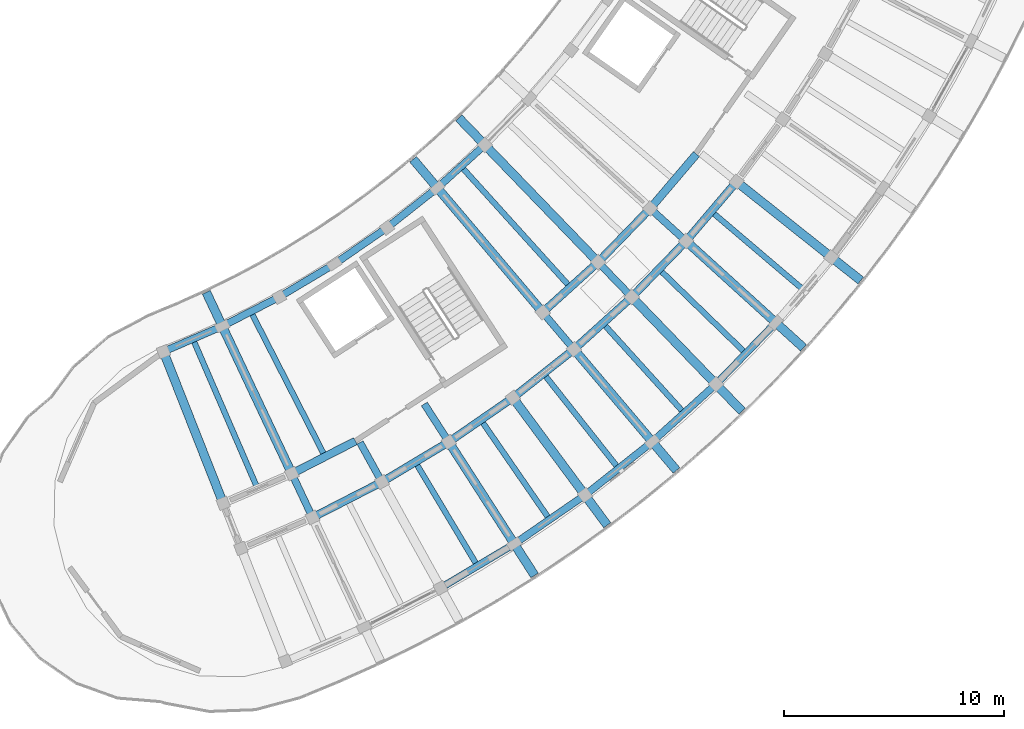
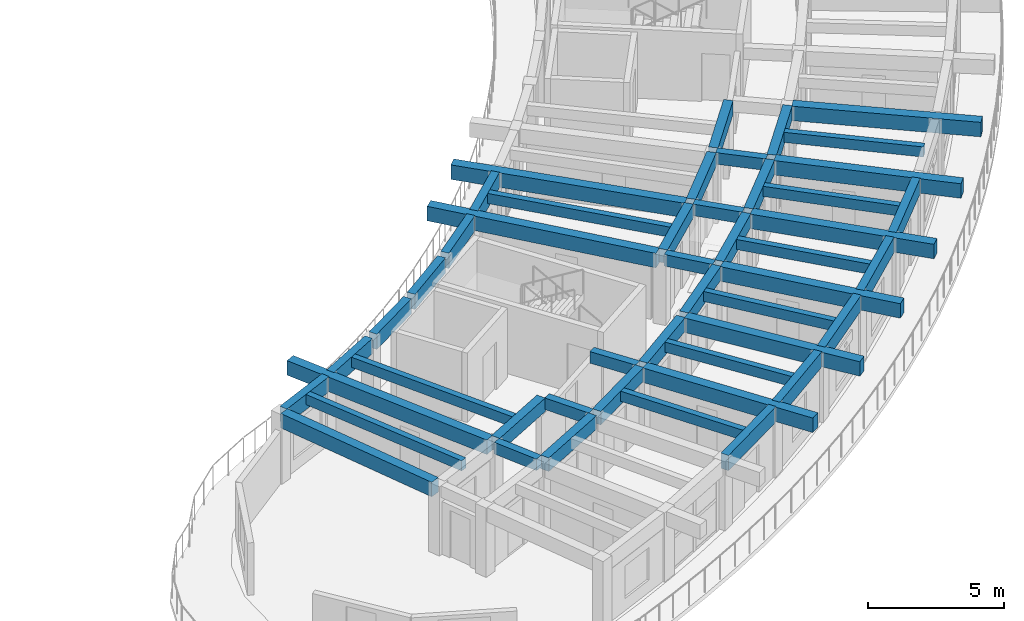
# One storey, part 21 of 83: 47 beams.
"""IFC4 building model written with IfcOpenShell, lengths in metres."""

from ifc_helpers import new_model, si_unit, direction, frame, origin, origin_2d, place, context, subcontext, project, spatial, rectangle, extrude, material, material_profile, profile_set, type_object, element, save


model = new_model("IFC4")

# Units and contexts
model_context = context("Model", 3, precision=1e-05, world=origin(), true_north=direction((0.0, 1.0)))
body_context = subcontext(model_context, "Body", "Model", "MODEL_VIEW")
ifc_project = project(units=[si_unit("LENGTHUNIT", "METRE"), si_unit("AREAUNIT", "SQUARE_METRE"), si_unit("VOLUMEUNIT", "CUBIC_METRE"), si_unit("PLANEANGLEUNIT", "RADIAN"), si_unit("MASSUNIT", "GRAM", prefix="KILO")], contexts=[model_context])

# Site, building, storey
site_placement = place(None, origin())
site = spatial("IfcSite", under=ifc_project, at=site_placement, CompositionType="ELEMENT")
building_placement = place(site_placement, origin())
building = spatial("IfcBuilding", under=site, at=building_placement, Name="Tanwirah Colonnade Gardens", CompositionType="ELEMENT")
storey_placement = place(building_placement, frame((0.0, 0.0, 25.639892578125)))
storey = spatial("IfcBuildingStorey", under=building, at=storey_placement, Name="L07", CompositionType="ELEMENT", Elevation=25.639892578125)

# Beams
ifc_material_1 = material(Name="Precast concrete C40/50", Category="concrete")
ifc_material_profile_1 = material_profile(ifc_material_1, rectangle(XDim=0.360107421875, YDim=0.610107421875, at=origin_2d()), Name="PC-BM 360x610")
ifc_profile_set_1 = profile_set([ifc_material_profile_1], Name="Precast concrete C40/50")
beam_type_1 = type_object("IfcBeamType", Name="BM-PC300", PredefinedType="BEAM", material=ifc_profile_set_1)
beam_1_placement = place(storey_placement, frame((143.2509765625, 17.67236328125, 2.80517578125), z_axis=(0.890027741769, 0.45590637074, 0.0), x_axis=(-0.45590637074, 0.890027741769, 0.0)))
element("IfcBeam", 1, at=beam_1_placement, inside=storey, type_object=beam_type_1, Name="Block D L07 Circumferential Beam 3-R1", PredefinedType="BEAM", context=body_context, shape_type="SweptSolid", body=[
    extrude(rectangle(XDim=0.360107421875, YDim=0.610107421875, at=origin_2d()), origin(), (0.0, 0.0, 1.0), 3.093017578125),
])
beam_2_placement = place(storey_placement, frame((144.189453125, 15.6826171875, 2.80517578125), z_axis=(0.890025451153, 0.45591084249, 0.0), x_axis=(-0.45591084249, 0.890025451153, 0.0)))
element("IfcBeam", 2, at=beam_2_placement, inside=storey, type_object=beam_type_1, Name="Block D L07 Circumferential Beam 3-R2", PredefinedType="BEAM", context=body_context, shape_type="SweptSolid", body=[
    extrude(rectangle(XDim=0.360107421875, YDim=0.610107421875, at=origin_2d()), origin(), (0.0, 0.0, 1.0), 3.237060546875),
])
beam_3_placement = place(storey_placement, frame((147.332763671875, 17.3037109375, 2.80517578125), z_axis=(0.858270604513, 0.513197398111, 0.0), x_axis=(-0.513197398111, 0.858270604513, 0.0)))
element("IfcBeam", 3, at=beam_3_placement, inside=storey, type_object=beam_type_1, Name="Block D L07 Circumferential Beam 4-R2", PredefinedType="BEAM", context=body_context, shape_type="SweptSolid", body=[
    extrude(rectangle(XDim=0.360107421875, YDim=0.610107421875, at=origin_2d()), origin(), (0.0, 0.0, 1.0), 3.23681640625),
])
beam_4_placement = place(storey_placement, frame((150.363037109375, 19.126953125, 2.80517578125), z_axis=(0.822889344221, 0.568201660651, 0.0), x_axis=(-0.568201660651, 0.822889344221, 0.0)))
element("IfcBeam", 4, at=beam_4_placement, inside=storey, type_object=beam_type_1, Name="Block D L07 Circumferential Beam 5-R2", PredefinedType="BEAM", context=body_context, shape_type="SweptSolid", body=[
    extrude(rectangle(XDim=0.360107421875, YDim=0.610107421875, at=origin_2d()), origin(), (0.0, 0.0, 1.0), 3.237060546875),
])
beam_5_placement = place(storey_placement, frame((153.267822265625, 21.144775390625, 2.80517578125), z_axis=(0.783993819374, 0.620768629349, 0.0), x_axis=(-0.620768629349, 0.783993819374, 0.0)))
element("IfcBeam", 5, at=beam_5_placement, inside=storey, type_object=beam_type_1, Name="Block D L07 Circumferential Beam 6-R2", PredefinedType="BEAM", context=body_context, shape_type="SweptSolid", body=[
    extrude(rectangle(XDim=0.360107421875, YDim=0.610107421875, at=origin_2d()), origin(), (0.0, 0.0, 1.0), 3.23681640625),
])
beam_6_placement = place(storey_placement, frame((154.61279296875, 25.027099609375, 2.80517578125), z_axis=(0.741698455559, 0.670733479873, 0.0), x_axis=(-0.670733479873, 0.741698455559, 0.0)))
element("IfcBeam", 6, at=beam_6_placement, inside=storey, type_object=beam_type_1, Name="Block D L07 Circumferential Beam 7-R1", PredefinedType="BEAM", context=body_context, shape_type="SweptSolid", body=[
    extrude(rectangle(XDim=0.360107421875, YDim=0.610107421875, at=origin_2d()), origin(), (0.0, 0.0, 1.0), 3.0927734375),
])
beam_7_placement = place(storey_placement, frame((156.0341796875, 23.347900390625, 2.80517578125), z_axis=(0.741701929733, 0.670729638104, 0.0), x_axis=(-0.670729638104, 0.741701929733, 0.0)))
element("IfcBeam", 7, at=beam_7_placement, inside=storey, type_object=beam_type_1, Name="Block D L07 Circumferential Beam 7-R2", PredefinedType="BEAM", context=body_context, shape_type="SweptSolid", body=[
    extrude(rectangle(XDim=0.360107421875, YDim=0.610107421875, at=origin_2d()), origin(), (0.0, 0.0, 1.0), 3.237060546875),
])
beam_8_placement = place(storey_placement, frame((157.12255859375, 27.309814453125, 2.80517578125), z_axis=(0.696209937932, 0.71783822852, 0.0), x_axis=(-0.71783822852, 0.696209937932, 0.0)))
element("IfcBeam", 8, at=beam_8_placement, inside=storey, type_object=beam_type_1, Name="Block D L07 Circumferential Beam 8-R1", PredefinedType="BEAM", context=body_context, shape_type="SweptSolid", body=[
    extrude(rectangle(XDim=0.360107421875, YDim=0.610107421875, at=origin_2d()), origin(), (0.0, 0.0, 1.0), 3.093017578125),
])
beam_9_placement = place(storey_placement, frame((158.650634765625, 25.727294921875, 2.80517578125), z_axis=(0.696238887656, 0.717810149911, 0.0), x_axis=(-0.717810149911, 0.696238887656, 0.0)))
element("IfcBeam", 9, at=beam_9_placement, inside=storey, type_object=beam_type_1, Name="Block D L07 Circumferential Beam 8-R2", PredefinedType="BEAM", context=body_context, shape_type="SweptSolid", body=[
    extrude(rectangle(XDim=0.360107421875, YDim=0.610107421875, at=origin_2d()), origin(), (0.0, 0.0, 1.0), 3.23681640625),
])
beam_10_placement = place(storey_placement, frame((159.4775390625, 29.751953125, 2.80517578125), z_axis=(0.647730901566, 0.761869200819, 0.0), x_axis=(-0.761869200819, 0.647730901566, 0.0)))
element("IfcBeam", 10, at=beam_10_placement, inside=storey, type_object=beam_type_1, Name="Block D L07 Circumferential Beam 9-R1", PredefinedType="BEAM", context=body_context, shape_type="SweptSolid", body=[
    extrude(rectangle(XDim=0.360107421875, YDim=0.610107421875, at=origin_2d()), origin(), (0.0, 0.0, 1.0), 3.093017578125),
])
beam_11_placement = place(storey_placement, frame((161.10595703125, 28.27294921875, 2.80517578125), z_axis=(0.6478235549, 0.761790418499, 0.0), x_axis=(-0.761790418499, 0.6478235549, 0.0)))
element("IfcBeam", 11, at=beam_11_placement, inside=storey, type_object=beam_type_1, Name="Block D L07 Circumferential Beam 9-R2", PredefinedType="BEAM", context=body_context, shape_type="SweptSolid", body=[
    extrude(rectangle(XDim=0.360107421875, YDim=0.610107421875, at=origin_2d()), origin(), (0.0, 0.0, 1.0), 3.23681640625),
])
ifc_material_profile_2 = material_profile(ifc_material_1, rectangle(XDim=0.320068359375, YDim=0.52001953125, at=origin_2d()), Name="PC-BM 320x520")
ifc_profile_set_2 = profile_set([ifc_material_profile_2], Name="Precast concrete C40/50")
beam_type_2 = type_object("IfcBeamType", Name="BM-PC320", PredefinedType="BEAM", material=ifc_profile_set_2)
beam_12_placement = place(storey_placement, frame((143.181640625, 17.46826171875, 2.85009765625), z_axis=(0.426483812015, -0.904495195172, 0.0), x_axis=(0.904495195172, 0.426483812015, 0.0)))
element("IfcBeam", 12, at=beam_12_placement, inside=storey, type_object=beam_type_2, Name="Block D L07 Corridor Tie Beam 3", PredefinedType="BEAM", context=body_context, shape_type="SweptSolid", body=[
    extrude(rectangle(XDim=0.320068359375, YDim=0.52001953125, at=origin_2d()), origin(), (0.0, 0.0, 1.0), 1.89990234375),
])
beam_13_placement = place(storey_placement, frame((146.210205078125, 19.019775390625, 2.85009765625), z_axis=(0.484791759649, -0.874629607192, 0.0), x_axis=(0.874629607192, 0.484791759649, 0.0)))
element("IfcBeam", 13, at=beam_13_placement, inside=storey, type_object=beam_type_2, Name="Block D L07 Corridor Tie Beam 4", PredefinedType="BEAM", context=body_context, shape_type="SweptSolid", body=[
    extrude(rectangle(XDim=0.320068359375, YDim=0.52001953125, at=origin_2d()), origin(), (0.0, 0.0, 1.0), 1.900146484375),
])
beam_14_placement = place(storey_placement, frame((149.130615234375, 20.765869140625, 2.85009765625), z_axis=(0.540984881989, -0.841032316537, 0.0), x_axis=(0.841032316537, 0.540984881989, 0.0)))
element("IfcBeam", 14, at=beam_14_placement, inside=storey, type_object=beam_type_2, Name="Block D L07 Corridor Tie Beam 5", PredefinedType="BEAM", context=body_context, shape_type="SweptSolid", body=[
    extrude(rectangle(XDim=0.320068359375, YDim=0.52001953125, at=origin_2d()), origin(), (0.0, 0.0, 1.0), 1.89990234375),
])
beam_15_placement = place(storey_placement, frame((154.598388671875, 24.81201171875, 2.85009765625), z_axis=(0.646155325581, -0.763205932382, 0.0), x_axis=(0.763205932382, 0.646155325581, 0.0)))
element("IfcBeam", 15, at=beam_15_placement, inside=storey, type_object=beam_type_2, Name="Block D L07 Corridor Tie Beam 7", PredefinedType="BEAM", context=body_context, shape_type="SweptSolid", body=[
    extrude(rectangle(XDim=0.320068359375, YDim=0.52001953125, at=origin_2d()), origin(), (0.0, 0.0, 1.0), 1.900146484375),
])
beam_16_placement = place(storey_placement, frame((157.122314453125, 27.09423828125, 2.85009765625), z_axis=(0.694663306685, -0.719335033448, 0.0), x_axis=(0.719335033448, 0.694663306685, 0.0)))
element("IfcBeam", 16, at=beam_16_placement, inside=storey, type_object=beam_type_2, Name="Block D L07 Corridor Tie Beam 8", PredefinedType="BEAM", context=body_context, shape_type="SweptSolid", body=[
    extrude(rectangle(XDim=0.320068359375, YDim=0.52001953125, at=origin_2d()), origin(), (0.0, 0.0, 1.0), 1.89990234375),
])
beam_17_placement = place(storey_placement, frame((159.491455078125, 29.536865234375, 2.85009765625), z_axis=(0.740219127015, -0.672365707038, 0.0), x_axis=(0.672365707038, 0.740219127015, 0.0)))
element("IfcBeam", 17, at=beam_17_placement, inside=storey, type_object=beam_type_2, Name="Block D L07 Corridor Tie Beam 9", PredefinedType="BEAM", context=body_context, shape_type="SweptSolid", body=[
    extrude(rectangle(XDim=0.320068359375, YDim=0.52001953125, at=origin_2d()), origin(), (0.0, 0.0, 1.0), 1.899658203125),
])
ifc_material_2 = material(Name="Precast concrete C45/55", Category="concrete")
ifc_material_profile_3 = material_profile(ifc_material_2, rectangle(XDim=0.39990234375, YDim=0.64990234375, at=origin_2d()), Name="PC-BM 400x650")
ifc_profile_set_3 = profile_set([ifc_material_profile_3], Name="Precast concrete C45/55")
beam_type_3 = type_object("IfcBeamType", Name="BM-PC400", PredefinedType="BEAM", material=ifc_profile_set_3)
beam_18_placement = place(storey_placement, frame((139.947998046875, 16.3974609375, 2.78515625), z_axis=(-0.366488437166, 0.930422605821, 0.0), x_axis=(-0.930422605821, -0.366488437166, 0.0)))
element("IfcBeam", 18, at=beam_18_placement, inside=storey, type_object=beam_type_3, Name="Block D L07 Inner Radial Precast Girder 2", PredefinedType="BEAM", context=body_context, shape_type="SweptSolid", body=[
    extrude(rectangle(XDim=0.39990234375, YDim=0.64990234375, at=origin_2d()), origin(), (0.0, 0.0, 1.0), 7.099853515625),
])
beam_19_placement = place(storey_placement, frame((143.0537109375, 17.73974609375, 2.78515625), z_axis=(-0.426582468098, 0.904448670689, 0.0), x_axis=(-0.904448670689, -0.426582468098, 0.0)))
element("IfcBeam", 19, at=beam_19_placement, inside=storey, type_object=beam_type_3, Name="Block D L07 Inner Radial Precast Girder 3", PredefinedType="BEAM", context=body_context, shape_type="SweptSolid", body=[
    extrude(rectangle(XDim=0.39990234375, YDim=0.64990234375, at=origin_2d()), origin(), (0.0, 0.0, 1.0), 8.949951171875),
])
for number, where, z_axis, x_axis, name in (
    (20, (150.32080078125, 18.915771484375, 2.78515625), (0.540976349149, -0.841037805132, 0.0), (0.841037805132, 0.540976349149, 0.0), "Block D L07 Outer Radial Precast Girder 5"),
    (21, (153.239501953125, 20.930908203125, 2.78515625), (0.594806754627, -0.803868723518, 0.0), (0.803868723518, 0.594806754627, 0.0), "Block D L07 Outer Radial Precast Girder 6"),
):
    element("IfcBeam", number, at=place(storey_placement, frame(where, z_axis=z_axis, x_axis=x_axis)), inside=storey, type_object=beam_type_3, Name=name, PredefinedType="BEAM", context=body_context, shape_type="SweptSolid", body=[
        extrude(rectangle(XDim=0.39990234375, YDim=0.64990234375, at=origin_2d()), origin(), (0.0, 0.0, 1.0), 7.050048828125),
    ])
beam_20_placement = place(storey_placement, frame((154.404541015625, 25.040771484375, 2.78515625), z_axis=(-0.64611097415, 0.763243479554, 0.0), x_axis=(-0.763243479554, -0.64611097415, 0.0)))
element("IfcBeam", 22, at=beam_20_placement, inside=storey, type_object=beam_type_3, Name="Block D L07 Inner Radial Precast Girder 7", PredefinedType="BEAM", context=body_context, shape_type="SweptSolid", body=[
    extrude(rectangle(XDim=0.39990234375, YDim=0.64990234375, at=origin_2d()), origin(), (0.0, 0.0, 1.0), 8.949951171875),
])
beam_21_placement = place(storey_placement, frame((156.02001953125, 23.1328125, 2.78515625), z_axis=(0.646119193339, -0.763236521663, 0.0), x_axis=(0.763236521663, 0.646119193339, 0.0)))
element("IfcBeam", 23, at=beam_21_placement, inside=storey, type_object=beam_type_3, Name="Block D L07 Outer Radial Precast Girder 7", PredefinedType="BEAM", context=body_context, shape_type="SweptSolid", body=[
    extrude(rectangle(XDim=0.39990234375, YDim=0.64990234375, at=origin_2d()), origin(), (0.0, 0.0, 1.0), 7.050048828125),
])
beam_22_placement = place(storey_placement, frame((156.913818359375, 27.31005859375, 2.78515625), z_axis=(-0.694655848402, 0.719342235852, 0.0), x_axis=(-0.719342235852, -0.694655848402, 0.0)))
element("IfcBeam", 24, at=beam_22_placement, inside=storey, type_object=beam_type_3, Name="Block D L07 Inner Radial Precast Girder 8", PredefinedType="BEAM", context=body_context, shape_type="SweptSolid", body=[
    extrude(rectangle(XDim=0.39990234375, YDim=0.64990234375, at=origin_2d()), origin(), (0.0, 0.0, 1.0), 8.9501953125),
])
beam_23_placement = place(storey_placement, frame((158.650390625, 25.51171875, 2.78515625), z_axis=(0.69467114255, -0.719327466254, 0.0), x_axis=(0.719327466254, 0.69467114255, 0.0)))
element("IfcBeam", 25, at=beam_23_placement, inside=storey, type_object=beam_type_3, Name="Block D L07 Outer Radial Precast Girder 8", PredefinedType="BEAM", context=body_context, shape_type="SweptSolid", body=[
    extrude(rectangle(XDim=0.39990234375, YDim=0.64990234375, at=origin_2d()), origin(), (0.0, 0.0, 1.0), 7.050048828125),
])
for number, where, z_axis, x_axis, name in (
    (26, (161.119873046875, 28.0576171875, 2.78515625), (0.740229899169, -0.672353847596, 0.0), (0.672353847596, 0.740229899169, 0.0), "Block D L07 Outer Radial Precast Girder 9"),
    (27, (163.41748046875, 30.759765625, 2.78515625), (0.782609106384, -0.622513442911, 0.0), (0.622513442911, 0.782609106384, 0.0), "Block D L07 Outer Radial Precast Girder 10"),
):
    element("IfcBeam", number, at=place(storey_placement, frame(where, z_axis=z_axis, x_axis=x_axis)), inside=storey, type_object=beam_type_3, Name=name, PredefinedType="BEAM", context=body_context, shape_type="SweptSolid", body=[
        extrude(rectangle(XDim=0.39990234375, YDim=0.64990234375, at=origin_2d()), origin(), (0.0, 0.0, 1.0), 7.0498046875),
    ])
ifc_material_profile_4 = material_profile(ifc_material_1, rectangle(XDim=0.2548828125, YDim=0.455078125, at=origin_2d()), Name="PC-JST 255x455")
ifc_profile_set_4 = profile_set([ifc_material_profile_4], Name="Precast concrete C40/50")
beam_type_4 = type_object("IfcBeamType", Name="JST-PC240", PredefinedType="JOIST", material=ifc_profile_set_4)
for number, where, z_axis, x_axis, name in (
    (28, (138.68310546875, 23.587890625, 2.882568359375), (0.396736454079, -0.917932560706, 0.0), (0.917932560706, 0.396736454079, 0.0), "Block D L07 Inner Precast Floor Joist 2"),
    (29, (141.321044921875, 24.83203125, 2.882568359375), (0.455921327553, -0.890020080157, 0.0), (0.890020080157, 0.455921327553, 0.0), "Block D L07 Inner Precast Floor Joist 3"),
):
    element("IfcBeam", number, at=place(storey_placement, frame(where, z_axis=z_axis, x_axis=x_axis)), inside=storey, type_object=beam_type_4, Name=name, PredefinedType="JOIST", context=body_context, shape_type="SweptSolid", body=[
        extrude(rectangle(XDim=0.2548828125, YDim=0.455078125, at=origin_2d()), origin(), (0.0, 0.0, 1.0), 7.159912109375),
    ])
for number, where, z_axis, x_axis, name in (
    (30, (148.79833984375, 18.006591796875, 2.882568359375), (0.513157303227, -0.858294577721, 0.0), (0.858294577721, 0.513157303227, 0.0), "Block D L07 Precast Floor Joist 4"),
    (31, (151.779541015625, 19.924072265625, 2.882568359375), (0.56820792868, -0.822885016138, 0.0), (0.822885016138, 0.56820792868, 0.0), "Block D L07 Precast Floor Joist 5"),
    (32, (154.629150390625, 22.03271484375, 2.882568359375), (0.620787347885, -0.783978997617, 0.0), (0.783978997617, 0.620787347885, 0.0), "Block D L07 Precast Floor Joist 6"),
    (33, (157.33447265625, 24.322998046875, 2.882568359375), (0.670780841255, -0.741655622918, 0.0), (0.741655622918, 0.670780841255, 0.0), "Block D L07 Precast Floor Joist 7"),
):
    element("IfcBeam", number, at=place(storey_placement, frame(where, z_axis=z_axis, x_axis=x_axis)), inside=storey, type_object=beam_type_4, Name=name, PredefinedType="JOIST", context=body_context, shape_type="SweptSolid", body=[
        extrude(rectangle(XDim=0.2548828125, YDim=0.455078125, at=origin_2d()), origin(), (0.0, 0.0, 1.0), 5.260009765625),
    ])
beam_24_placement = place(storey_placement, frame((150.895263671875, 31.443115234375, 2.882568359375), z_axis=(0.670773136608, -0.741662591214, 0.0), x_axis=(0.741662591214, 0.670773136608, 0.0)))
element("IfcBeam", 34, at=beam_24_placement, inside=storey, type_object=beam_type_4, Name="Block D L07 Inner Precast Floor Joist 7", PredefinedType="JOIST", context=body_context, shape_type="SweptSolid", body=[
    extrude(rectangle(XDim=0.2548828125, YDim=0.455078125, at=origin_2d()), origin(), (0.0, 0.0, 1.0), 7.159912109375),
])
for number, where, z_axis, x_axis, name in (
    (35, (159.884521484375, 26.785400390625, 2.882568359375), (0.717816036263, -0.696232818878, 0.0), (0.696232818878, 0.717816036263, 0.0), "Block D L07 Precast Floor Joist 8"),
    (36, (162.267822265625, 29.409423828125, 2.882568359375), (0.761803021124, -0.647808734895, 0.0), (0.647808734895, 0.761803021124, 0.0), "Block D L07 Precast Floor Joist 9"),
):
    element("IfcBeam", number, at=place(storey_placement, frame(where, z_axis=z_axis, x_axis=x_axis)), inside=storey, type_object=beam_type_4, Name=name, PredefinedType="JOIST", context=body_context, shape_type="SweptSolid", body=[
        extrude(rectangle(XDim=0.2548828125, YDim=0.455078125, at=origin_2d()), origin(), (0.0, 0.0, 1.0), 5.260009765625),
    ])
ifc_material_profile_5 = material_profile(ifc_material_1, rectangle(XDim=0.324951171875, YDim=0.68505859375, at=origin_2d()), Name="PC-SP 325x685")
ifc_profile_set_5 = profile_set([ifc_material_profile_5], Name="Precast concrete C40/50")
beam_type_5 = type_object("IfcBeamType", Name="SP-PC260", PredefinedType="SPANDREL", material=ifc_profile_set_5)
for number, where, z_axis, x_axis, name in (
    (37, (137.4287109375, 23.202392578125, 2.767578125), (0.917901260915, 0.396808864833, 0.0), (-0.396808864833, 0.917901260915, 0.0), "Block D L07 Circumferential Beam 2-R0"),
    (38, (140.094482421875, 24.365478515625, 2.767578125), (0.890042438658, 0.455877678097, 0.0), (-0.455877678097, 0.890042438658, 0.0), "Block D L07 Circumferential Beam 3-R0"),
    (39, (142.678466796875, 25.7001953125, 2.767578125), (0.858301131151, 0.513146341958, 0.0), (-0.513146341958, 0.858301131151, 0.0), "Block D L07 Circumferential Beam 4-R0"),
):
    element("IfcBeam", number, at=place(storey_placement, frame(where, z_axis=z_axis, x_axis=x_axis)), inside=storey, type_object=beam_type_5, Name=name, PredefinedType="SPANDREL", context=body_context, shape_type="SweptSolid", body=[
        extrude(rectangle(XDim=0.324951171875, YDim=0.68505859375, at=origin_2d()), origin(), (0.0, 0.0, 1.0), 2.608642578125),
    ])
beam_25_placement = place(storey_placement, frame((149.999267578125, 12.493408203125, 2.767578125), z_axis=(0.858282522832, 0.513177465407, 0.0), x_axis=(-0.513177465407, 0.858282522832, 0.0)))
element("IfcBeam", 40, at=beam_25_placement, inside=storey, type_object=beam_type_5, Name="Block D L07 Circumferential Beam 4-R3", PredefinedType="SPANDREL", context=body_context, shape_type="SweptSolid", body=[
    extrude(rectangle(XDim=0.324951171875, YDim=0.68505859375, at=origin_2d()), origin(), (0.0, 0.0, 1.0), 3.5966796875),
])
beam_26_placement = place(storey_placement, frame((145.169677734375, 27.200927734375, 2.767578125), z_axis=(0.822868771031, 0.568231454305, 0.0), x_axis=(-0.568231454305, 0.822868771031, 0.0)))
element("IfcBeam", 41, at=beam_26_placement, inside=storey, type_object=beam_type_5, Name="Block D L07 Circumferential Beam 5-R0", PredefinedType="SPANDREL", context=body_context, shape_type="SweptSolid", body=[
    extrude(rectangle(XDim=0.324951171875, YDim=0.68505859375, at=origin_2d()), origin(), (0.0, 0.0, 1.0), 2.60888671875),
])
beam_27_placement = place(storey_placement, frame((153.33837890625, 14.50146484375, 2.767578125), z_axis=(0.822907478943, 0.568175396423, 0.0), x_axis=(-0.568175396423, 0.822907478943, 0.0)))
element("IfcBeam", 42, at=beam_27_placement, inside=storey, type_object=beam_type_5, Name="Block D L07 Circumferential Beam 5-R3", PredefinedType="SPANDREL", context=body_context, shape_type="SweptSolid", body=[
    extrude(rectangle(XDim=0.324951171875, YDim=0.68505859375, at=origin_2d()), origin(), (0.0, 0.0, 1.0), 3.596923828125),
])
beam_28_placement = place(storey_placement, frame((147.557373046875, 28.861572265625, 2.767578125), z_axis=(0.783945239852, 0.62082997746, 0.0), x_axis=(-0.62082997746, 0.783945239852, 0.0)))
element("IfcBeam", 43, at=beam_28_placement, inside=storey, type_object=beam_type_5, Name="Block D L07 Circumferential Beam 6-R0", PredefinedType="SPANDREL", context=body_context, shape_type="SweptSolid", body=[
    extrude(rectangle(XDim=0.324951171875, YDim=0.68505859375, at=origin_2d()), origin(), (0.0, 0.0, 1.0), 2.60888671875),
])
beam_29_placement = place(storey_placement, frame((156.539306640625, 16.723388671875, 2.767578125), z_axis=(0.783971495357, 0.620796822211, 0.0), x_axis=(-0.620796822211, 0.783971495357, 0.0)))
element("IfcBeam", 44, at=beam_29_placement, inside=storey, type_object=beam_type_5, Name="Block D L07 Circumferential Beam 6-R3", PredefinedType="SPANDREL", context=body_context, shape_type="SweptSolid", body=[
    extrude(rectangle(XDim=0.324951171875, YDim=0.68505859375, at=origin_2d()), origin(), (0.0, 0.0, 1.0), 3.596923828125),
])
beam_30_placement = place(storey_placement, frame((149.83154296875, 30.675048828125, 2.767578125), z_axis=(0.741686528432, 0.670746668678, 0.0), x_axis=(-0.670746668678, 0.741686528432, 0.0)))
element("IfcBeam", 45, at=beam_30_placement, inside=storey, type_object=beam_type_5, Name="Block D L07 Circumferential Beam 7-R0", PredefinedType="SPANDREL", context=body_context, shape_type="SweptSolid", body=[
    extrude(rectangle(XDim=0.324951171875, YDim=0.68505859375, at=origin_2d()), origin(), (0.0, 0.0, 1.0), 2.608642578125),
])
beam_31_placement = place(storey_placement, frame((159.587890625, 19.150146484375, 2.767578125), z_axis=(0.741682092868, 0.670751573325, 0.0), x_axis=(-0.670751573325, 0.741682092868, 0.0)))
element("IfcBeam", 46, at=beam_31_placement, inside=storey, type_object=beam_type_5, Name="Block D L07 Circumferential Beam 7-R3", PredefinedType="SPANDREL", context=body_context, shape_type="SweptSolid", body=[
    extrude(rectangle(XDim=0.324951171875, YDim=0.68505859375, at=origin_2d()), origin(), (0.0, 0.0, 1.0), 3.596923828125),
])
beam_32_placement = place(storey_placement, frame((162.471435546875, 21.77099609375, 2.767578125), z_axis=(0.696231699401, 0.717817122079, 0.0), x_axis=(-0.717817122079, 0.696231699401, 0.0)))
element("IfcBeam", 47, at=beam_32_placement, inside=storey, type_object=beam_type_5, Name="Block D L07 Circumferential Beam 8-R3", PredefinedType="SPANDREL", context=body_context, shape_type="SweptSolid", body=[
    extrude(rectangle(XDim=0.324951171875, YDim=0.68505859375, at=origin_2d()), origin(), (0.0, 0.0, 1.0), 3.5966796875),
])

save(model, "model.ifc")
